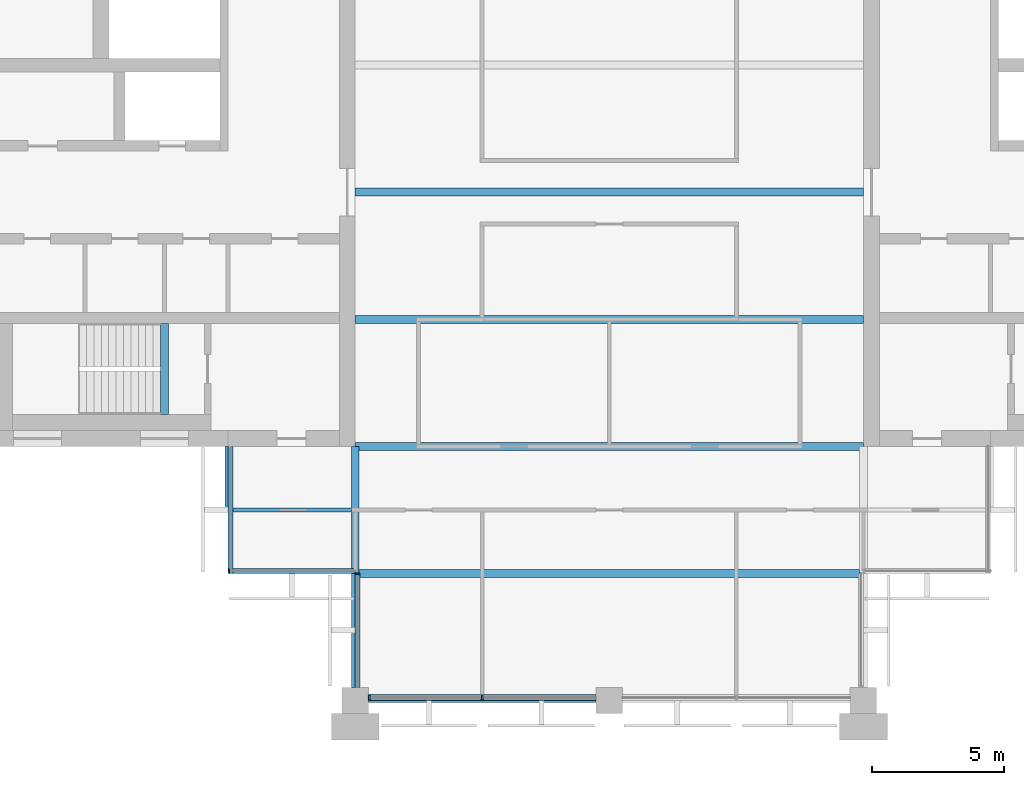
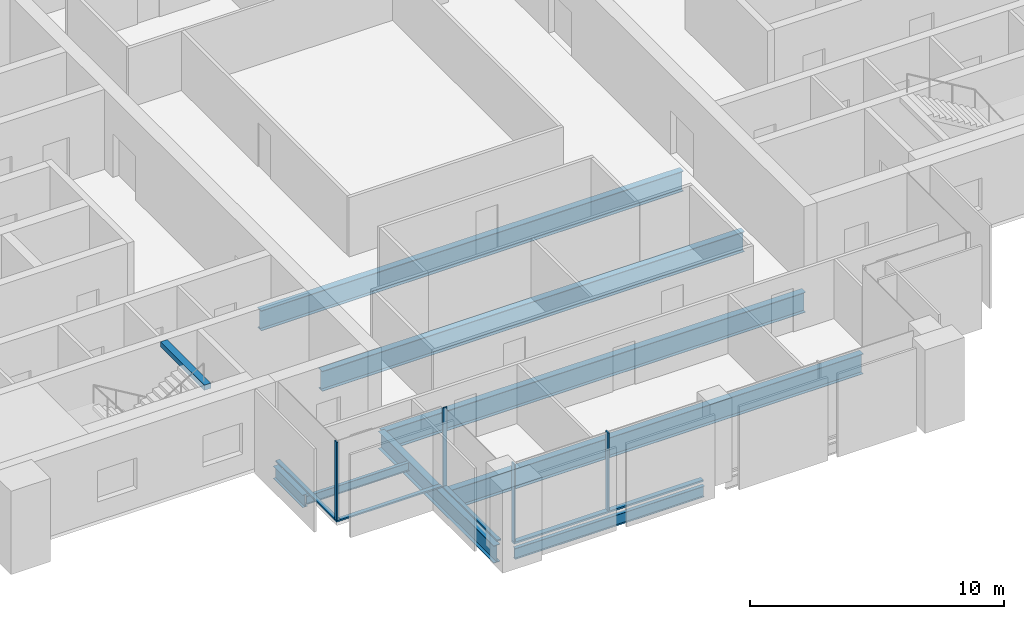
# One storey, part 2 of 13: 9 beams, 8 members, 4 elements without a shape of their own.
"""IFC4 building model written with IfcOpenShell, lengths in metres."""

from ifc_helpers import new_model, si_unit, direction, frame, origin, origin_2d, place, context, subcontext, project, spatial, rectangle, i_section, extrude, material, material_profile, profile_set, type_object, element, aggregate, save


model = new_model("IFC4")

# Units and contexts
model_context = context("Model", 3, precision=1e-05, world=origin(), true_north=direction((0.0, 1.0)))
body_context = subcontext(model_context, "Body", "Model", "MODEL_VIEW")
ifc_project = project(units=[si_unit("LENGTHUNIT", "METRE"), si_unit("AREAUNIT", "SQUARE_METRE"), si_unit("VOLUMEUNIT", "CUBIC_METRE"), si_unit("PLANEANGLEUNIT", "RADIAN"), si_unit("MASSUNIT", "GRAM", prefix="KILO")], contexts=[model_context])

# Site, building, storey
site_placement = place(None, origin())
site = spatial("IfcSite", under=ifc_project, at=site_placement, CompositionType="ELEMENT")
building_placement = place(site_placement, origin())
building = spatial("IfcBuilding", under=site, at=building_placement, Name="Baori Bourse Tower", CompositionType="ELEMENT")
storey_placement = place(building_placement, frame((0.0, 0.0, 334.300048828125)))
storey = spatial("IfcBuildingStorey", under=building, at=storey_placement, Name="L74", CompositionType="ELEMENT", Elevation=334.300048828125)

# Curtain wall, member
ifc_material_1 = material(Name="Pale anodised aluminium", Category="aluminium")
curtain_wall_type_1 = type_object("IfcCurtainWallType", Name="CW2 Curtain wall", PredefinedType="NOTDEFINED", material=ifc_material_1)
curtain_wall_1_placement = place(storey_placement, origin())
curtain_wall_1 = element("IfcCurtainWall", 1, at=curtain_wall_1_placement, inside=storey, type_object=curtain_wall_type_1, Name="Curtain wall CW2 L74 9", PredefinedType="NOTDEFINED")
ifc_material_2 = material(Name="Pale anodised aluminium", Category="aluminium")
ifc_material_profile_1 = material_profile(ifc_material_2, rectangle(XDim=0.179931640625, YDim=0.054931640625, at=origin_2d()), Name="Mullion 55x180")
ifc_profile_set_1 = profile_set([ifc_material_profile_1], Name="Pale anodised aluminium")
member_type_1 = type_object("IfcMemberType", Name="CW2 Curtain wall mullion", PredefinedType="MULLION", material=ifc_profile_set_1)
member_1_placement = place(storey_placement, frame((14.427490234375, 4.889892578125, 0.070068359375), z_axis=(0.0, 0.0, 1.0), x_axis=(0.0, 1.0, 0.0)))
member_1 = element("IfcMember", 2, at=member_1_placement, type_object=member_type_1, Name="Curtain wall CW2 mullion", PredefinedType="MULLION", context=body_context, shape_type="SweptSolid", body=[
    extrude(rectangle(XDim=0.179931640625, YDim=0.054931640625, at=origin_2d()), origin(), (0.0, 0.0, 1.0), 3.769775390625),
])

curtain_wall_2_placement = place(storey_placement, origin())
curtain_wall_2 = element("IfcCurtainWall", 3, at=curtain_wall_2_placement, inside=storey, type_object=curtain_wall_type_1, Name="Curtain wall CW2 L74 10", PredefinedType="NOTDEFINED")
member_2_placement = place(storey_placement, frame((19.2900390625, 4.7724609375, 0.070068359375), z_axis=(0.0, 0.0, 1.0), x_axis=(1.0, 0.0, 0.0)))
member_2 = element("IfcMember", 4, at=member_2_placement, type_object=member_type_1, Name="Curtain wall CW2 mullion", PredefinedType="MULLION", context=body_context, shape_type="SweptSolid", body=[
    extrude(rectangle(XDim=0.179931640625, YDim=0.054931640625, at=origin_2d()), origin(), (0.0, 0.0, 1.0), 3.769775390625),
])

curtain_wall_3_placement = place(storey_placement, origin())
curtain_wall_3 = element("IfcCurtainWall", 5, at=curtain_wall_3_placement, inside=storey, type_object=curtain_wall_type_1, Name="Curtain wall CW2 L74 8", PredefinedType="NOTDEFINED")
ifc_material_3 = material(Name="Pale anodised aluminium", Category="aluminium")
ifc_material_profile_2 = material_profile(ifc_material_3, rectangle(XDim=0.179931640625, YDim=0.070068359375, at=origin_2d()), Name="Transom 70x180")
ifc_profile_set_2 = profile_set([ifc_material_profile_2], Name="Pale anodised aluminium")
member_type_2 = type_object("IfcMemberType", Name="CW2 Curtain wall transom", PredefinedType="USERDEFINED", material=ifc_profile_set_2)
member_3_placement = place(storey_placement, frame((14.489990234375, 9.60009765625, 0.034912109375), z_axis=(0.0, -1.0, 0.0), x_axis=(1.0, 0.0, 0.0)))
member_3 = element("IfcMember", 6, at=member_3_placement, type_object=member_type_2, Name="Curtain wall CW2 sill rail", ObjectType="TRANSOM", PredefinedType="USERDEFINED", context=body_context, shape_type="SweptSolid", body=[
    extrude(rectangle(XDim=0.179931640625, YDim=0.070068359375, at=origin_2d()), origin(), (0.0, 0.0, 1.0), 4.800048828125),
])
aggregate(curtain_wall_3, [member_3])

# Member
member_4_placement = place(storey_placement, frame((14.39990234375, 4.889892578125, 0.034912109375), z_axis=(1.0, 0.0, 0.0), x_axis=(0.0, 1.0, 0.0)))
member_4 = element("IfcMember", 7, at=member_4_placement, type_object=member_type_2, Name="Curtain wall CW2 sill rail", ObjectType="TRANSOM", PredefinedType="USERDEFINED", context=body_context, shape_type="SweptSolid", body=[
    extrude(rectangle(XDim=0.179931640625, YDim=0.070068359375, at=origin_2d()), origin(), (0.0, 0.0, 1.0), 4.800048828125),
])

aggregate(curtain_wall_1, [member_4, member_1])

member_5_placement = place(storey_placement, frame((19.2900390625, 4.800048828125, 0.034912109375), z_axis=(0.0, -1.0, 0.0), x_axis=(1.0, 0.0, 0.0)))
member_5 = element("IfcMember", 8, at=member_5_placement, type_object=member_type_2, Name="Curtain wall CW2 sill rail", ObjectType="TRANSOM", PredefinedType="USERDEFINED", context=body_context, shape_type="SweptSolid", body=[
    extrude(rectangle(XDim=0.179931640625, YDim=0.070068359375, at=origin_2d()), origin(), (0.0, 0.0, 1.0), 4.300048828125),
])

aggregate(curtain_wall_2, [member_5, member_2])

# Curtain wall, members
ifc_material_4 = material(Name="Pale anodised aluminium", Category="aluminium")
curtain_wall_type_2 = type_object("IfcCurtainWallType", Name="CW5 Curtain wall", PredefinedType="NOTDEFINED", material=ifc_material_4)
curtain_wall_4_placement = place(storey_placement, origin())
curtain_wall_4 = element("IfcCurtainWall", 9, at=curtain_wall_4_placement, inside=storey, type_object=curtain_wall_type_2, Name="Curtain wall CW5 L74 11", PredefinedType="NOTDEFINED")
ifc_material_5 = material(Name="Pale anodised aluminium", Category="aluminium")
ifc_material_profile_3 = material_profile(ifc_material_5, rectangle(XDim=0.219970703125, YDim=0.06494140625, at=origin_2d()), Name="Mullion 65x220")
ifc_profile_set_3 = profile_set([ifc_material_profile_3], Name="Pale anodised aluminium")
member_type_3 = type_object("IfcMemberType", Name="CW5 Curtain wall mullion", PredefinedType="MULLION", material=ifc_profile_set_3)
member_6_placement = place(storey_placement, frame((19.732421875, 0.110107421875, 0.0849609375), z_axis=(0.0, 0.0, 1.0), x_axis=(0.0, 1.0, 0.0)))
member_6 = element("IfcMember", 10, at=member_6_placement, type_object=member_type_3, Name="Curtain wall CW5 mullion", PredefinedType="MULLION", context=body_context, shape_type="SweptSolid", body=[
    extrude(rectangle(XDim=0.219970703125, YDim=0.06494140625, at=origin_2d()), origin(), (0.0, 0.0, 1.0), 3.7548828125),
])
member_7_placement = place(storey_placement, frame((24.0, 0.110107421875, 0.0849609375), z_axis=(0.0, 0.0, 1.0), x_axis=(0.0, 1.0, 0.0)))
member_7 = element("IfcMember", 11, at=member_7_placement, type_object=member_type_3, Name="Curtain wall CW5 mullion", PredefinedType="MULLION", context=body_context, shape_type="SweptSolid", body=[
    extrude(rectangle(XDim=0.219970703125, YDim=0.06494140625, at=origin_2d()), origin(), (0.0, 0.0, 1.0), 3.7548828125),
])
ifc_material_6 = material(Name="Pale anodised aluminium", Category="aluminium")
ifc_material_profile_4 = material_profile(ifc_material_6, rectangle(XDim=0.219970703125, YDim=0.0849609375, at=origin_2d()), Name="Transom 85x220")
ifc_profile_set_4 = profile_set([ifc_material_profile_4], Name="Pale anodised aluminium")
member_type_4 = type_object("IfcMemberType", Name="CW5 Curtain wall transom", PredefinedType="USERDEFINED", material=ifc_profile_set_4)
member_8_placement = place(storey_placement, frame((19.699951171875, 0.110107421875, 0.04248046875), z_axis=(1.0, 0.0, 0.0), x_axis=(0.0, 1.0, 0.0)))
member_8 = element("IfcMember", 12, at=member_8_placement, type_object=member_type_4, Name="Curtain wall CW5 sill rail", ObjectType="TRANSOM", PredefinedType="USERDEFINED", context=body_context, shape_type="SweptSolid", body=[
    extrude(rectangle(XDim=0.219970703125, YDim=0.0849609375, at=origin_2d()), origin(), (0.0, 0.0, 1.0), 8.60009765625),
])
aggregate(curtain_wall_4, [member_8, member_6, member_7])

# Beams
ifc_material_7 = material(Name="Steel A992 Gr 50", Category="steel")
ifc_material_profile_5 = material_profile(ifc_material_7, i_section(OverallWidth=0.227783203125, OverallDepth=0.60205078125, WebThickness=0.010498046875, FlangeThickness=0.014892578125, at=origin_2d()), Name="W24x68")
ifc_profile_set_5 = profile_set([ifc_material_profile_5], Name="Steel A992 Gr 50")
beam_type_1 = type_object("IfcBeamType", Name="Core bracket W24x68", PredefinedType="BEAM", material=ifc_profile_set_5)
beam_1_placement = place(storey_placement, frame((14.39990234375, 7.270263671875, -0.4609375), z_axis=(0.0, 1.0, 0.0), x_axis=(-1.0, 0.0, 0.0)))
element("IfcBeam", 13, at=beam_1_placement, inside=storey, type_object=beam_type_1, Name="Core bracket L74", PredefinedType="BEAM", context=body_context, shape_type="SweptSolid", body=[
    extrude(i_section(OverallWidth=0.227783203125, OverallDepth=0.60205078125, WebThickness=0.010498046875, FlangeThickness=0.014892578125, at=origin_2d()), origin(), (0.0, 0.0, 1.0), 2.329833984375),
])
ifc_material_8 = material(Name="Steel A992 Gr 50", Category="steel")
ifc_material_profile_6 = material_profile(ifc_material_8, i_section(OverallWidth=0.1650390625, OverallDepth=0.52587890625, WebThickness=0.0087890625, FlangeThickness=0.011474609375, at=origin_2d()), Name="W21x44")
ifc_profile_set_6 = profile_set([ifc_material_profile_6], Name="Steel A992 Gr 50")
beam_type_2 = type_object("IfcBeamType", Name="Edge beam W21x44", PredefinedType="BEAM", material=ifc_profile_set_6)
beam_2_placement = place(storey_placement, frame((19.699951171875, 0.0, -0.4228515625), z_axis=(1.0, 0.0, 0.0), x_axis=(0.0, 1.0, 0.0)))
element("IfcBeam", 14, at=beam_2_placement, inside=storey, type_object=beam_type_2, Name="Edge beam L74", PredefinedType="BEAM", context=body_context, shape_type="SweptSolid", body=[
    extrude(i_section(OverallWidth=0.1650390625, OverallDepth=0.52587890625, WebThickness=0.0087890625, FlangeThickness=0.011474609375, at=origin_2d()), origin(), (0.0, 0.0, 1.0), 8.60009765625),
])
ifc_material_9 = material(Name="Steel A992 Gr 50", Category="steel")
ifc_material_profile_7 = material_profile(ifc_material_9, i_section(OverallWidth=0.2998046875, OverallDepth=0.97021484375, WebThickness=0.01611328125, FlangeThickness=0.02099609375, at=origin_2d()), Name="W40x149")
ifc_profile_set_7 = profile_set([ifc_material_profile_7], Name="Steel A992 Gr 50")
beam_type_3 = type_object("IfcBeamType", Name="Floor beam W40x149", PredefinedType="BEAM", material=ifc_profile_set_7)
beam_3_placement = place(storey_placement, frame((19.345947265625, 4.800048828125, -0.645263671875), z_axis=(1.0, 0.0, 0.0), x_axis=(0.0, 1.0, 0.0)))
element("IfcBeam", 15, at=beam_3_placement, inside=storey, type_object=beam_type_3, Name="Floor beam L74", PredefinedType="BEAM", context=body_context, shape_type="SweptSolid", body=[
    extrude(i_section(OverallWidth=0.2998046875, OverallDepth=0.97021484375, WebThickness=0.01611328125, FlangeThickness=0.02099609375, at=origin_2d()), origin(), (0.0, 0.0, 1.0), 18.907958984375),
])
for number, where, z_axis, x_axis, name in (
    (16, (19.199951171875, 9.60009765625, -0.645263671875), (1.0, 0.0, 0.0), (0.0, 1.0, 0.0), "Floor beam L74"),
    (17, (19.199951171875, 14.39990234375, -0.645263671875), (1.0, 0.0, 0.0), (0.0, 1.0, 0.0), "Floor beam L74"),
    (18, (19.199951171875, 19.199951171875, -0.645263671875), (1.0, 0.0, 0.0), (0.0, 1.0, 0.0), "Floor beam L74"),
):
    element("IfcBeam", number, at=place(storey_placement, frame(where, z_axis=z_axis, x_axis=x_axis)), inside=storey, type_object=beam_type_3, Name=name, PredefinedType="BEAM", context=body_context, shape_type="SweptSolid", body=[
        extrude(i_section(OverallWidth=0.2998046875, OverallDepth=0.97021484375, WebThickness=0.01611328125, FlangeThickness=0.02099609375, at=origin_2d()), origin(), (0.0, 0.0, 1.0), 19.199951171875),
    ])
ifc_material_10 = material(Name="Steel A992 Gr 50", Category="steel")
ifc_material_profile_8 = material_profile(ifc_material_10, i_section(OverallWidth=0.2919921875, OverallDepth=0.835693359375, WebThickness=0.013916015625, FlangeThickness=0.018798828125, at=origin_2d()), Name="W33x118")
ifc_profile_set_8 = profile_set([ifc_material_profile_8], Name="Steel A992 Gr 50")
beam_type_4 = type_object("IfcBeamType", Name="Girder W33x118", PredefinedType="BEAM", material=ifc_profile_set_8)
beam_4_placement = place(storey_placement, frame((19.199951171875, 0.5, -0.577880859375), z_axis=(0.0, 1.0, 0.0), x_axis=(-1.0, 0.0, 0.0)))
element("IfcBeam", 19, at=beam_4_placement, inside=storey, type_object=beam_type_4, Name="Girder L74", PredefinedType="BEAM", context=body_context, shape_type="SweptSolid", body=[
    extrude(i_section(OverallWidth=0.2919921875, OverallDepth=0.835693359375, WebThickness=0.013916015625, FlangeThickness=0.018798828125, at=origin_2d()), origin(), (0.0, 0.0, 1.0), 9.10009765625),
])
ifc_material_11 = material(Name="Concrete f'c 50 MPa", Category="concrete")
ifc_material_profile_9 = material_profile(ifc_material_11, rectangle(XDim=0.300048828125, YDim=0.25, at=origin_2d()), Name="RC 300x250")
ifc_profile_set_9 = profile_set([ifc_material_profile_9], Name="Concrete f'c 50 MPa")
beam_type_5 = type_object("IfcBeamType", Name="Stair nib beam RC 300x250", PredefinedType="BEAM", material=ifc_profile_set_9)
beam_5_placement = place(storey_placement, frame((12.0, 10.800048828125, 3.71484375), z_axis=(0.0, 1.0, 0.0), x_axis=(-1.0, 0.0, 0.0)))
element("IfcBeam", 20, at=beam_5_placement, inside=storey, type_object=beam_type_5, Name="Stair WA nib beam L75", PredefinedType="BEAM", context=body_context, shape_type="SweptSolid", body=[
    extrude(rectangle(XDim=0.300048828125, YDim=0.25, at=origin_2d()), origin(), (0.0, 0.0, 1.0), 3.449951171875),
])
ifc_material_12 = material(Name="Steel A992 Gr 50", Category="steel")
ifc_material_profile_10 = material_profile(ifc_material_12, i_section(OverallWidth=0.140380859375, OverallDepth=0.40380859375, WebThickness=0.007080078125, FlangeThickness=0.01123046875, at=origin_2d()), Name="W16x31")
ifc_profile_set_10 = profile_set([ifc_material_profile_10], Name="Steel A992 Gr 50")
beam_type_6 = type_object("IfcBeamType", Name="Trimmer beam W16x31", PredefinedType="BEAM", material=ifc_profile_set_10)
beam_6_placement = place(storey_placement, frame((14.39990234375, 7.199951171875, -0.362060546875), z_axis=(1.0, 0.0, 0.0), x_axis=(0.0, 1.0, 0.0)))
element("IfcBeam", 21, at=beam_6_placement, inside=storey, type_object=beam_type_6, Name="Trimmer beam L74", PredefinedType="BEAM", context=body_context, shape_type="SweptSolid", body=[
    extrude(i_section(OverallWidth=0.140380859375, OverallDepth=0.40380859375, WebThickness=0.007080078125, FlangeThickness=0.01123046875, at=origin_2d()), origin(), (0.0, 0.0, 1.0), 4.654052734375),
])

save(model, "model.ifc")
